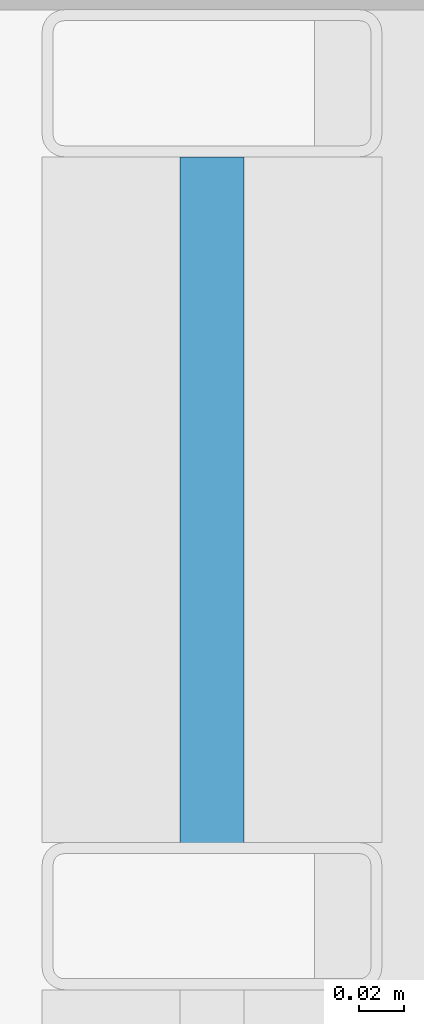
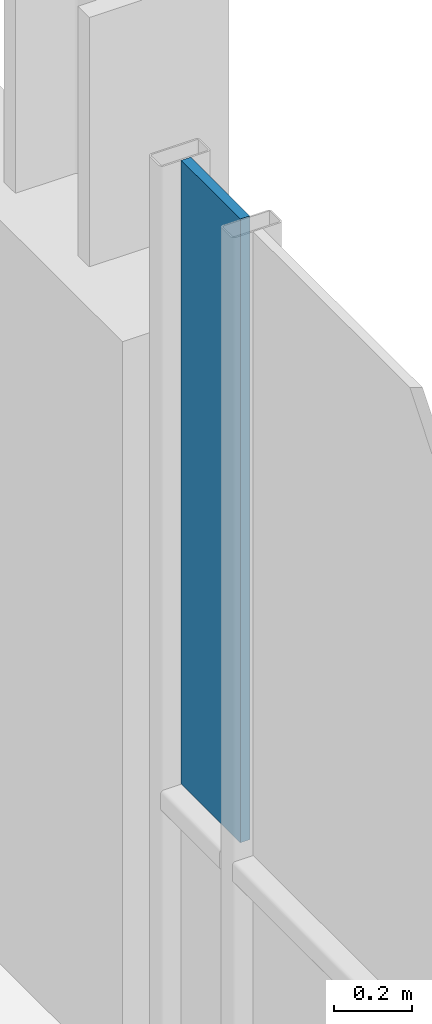
# One storey, part 28 of 41: 1 plate, 1 element without a shape of its own.
"""IFC4 building model written with IfcOpenShell, lengths in metres."""

from ifc_helpers import new_model, si_unit, direction, frame, origin, origin_2d, place, context, subcontext, project, spatial, rectangle, extrude, material, layer, layer_set, type_object, element, aggregate, save


model = new_model("IFC4")

# Units and contexts
model_context = context("Model", 3, precision=1e-05, world=origin(), true_north=direction((0.0, 1.0)))
body_context = subcontext(model_context, "Body", "Model", "MODEL_VIEW")
ifc_project = project(units=[si_unit("LENGTHUNIT", "METRE"), si_unit("AREAUNIT", "SQUARE_METRE"), si_unit("VOLUMEUNIT", "CUBIC_METRE"), si_unit("PLANEANGLEUNIT", "RADIAN"), si_unit("MASSUNIT", "GRAM", prefix="KILO")], contexts=[model_context])

# Site, building, storey
site_placement = place(None, origin())
site = spatial("IfcSite", under=ifc_project, at=site_placement, CompositionType="ELEMENT")
building_placement = place(site_placement, origin())
building = spatial("IfcBuilding", under=site, at=building_placement, Name="Brevholm Reach", CompositionType="ELEMENT")
storey_placement = place(building_placement, frame((0.0, 0.0, 112.800048828125)))
storey = spatial("IfcBuildingStorey", under=building, at=storey_placement, Name="L33", CompositionType="ELEMENT", Elevation=112.800048828125)

# Curtain wall, plate
ifc_material_1 = material(Name="Dark Anodised Aluminium 6063-T6 and Solar-Control Glass", Category="aluminium")
ifc_layer_1 = layer(ifc_material_1, 0.14990234375)
ifc_layer_set_1 = layer_set([ifc_layer_1], Name="Dark Anodised Aluminium 6063-T6 and Solar-Control Glass")
curtain_wall_type = type_object("IfcCurtainWallType", Name="CW-01", PredefinedType="NOTDEFINED", material=ifc_layer_set_1)
curtain_wall_placement = place(storey_placement, origin())
curtain_wall = element("IfcCurtainWall", 1, at=curtain_wall_placement, inside=storey, type_object=curtain_wall_type, Name="L33 Curtain Wall CW-01", PredefinedType="NOTDEFINED")
ifc_material_2 = material(Name="Dark Solar-Control Double-Glazed IGU Glass", Category="glass")
ifc_layer_2 = layer(ifc_material_2, 0.028076171875)
ifc_layer_set_2 = layer_set([ifc_layer_2], Name="Dark Solar-Control Double-Glazed IGU Glass")
plate_type = type_object("IfcPlateType", Name="CWP-GLZ-28", PredefinedType="CURTAIN_PANEL", material=ifc_layer_set_2)
plate_placement = place(storey_placement, frame((59.85009765625, 22.733642578125, 0.9326171875), z_axis=(0.0, 0.0, 1.0), x_axis=(0.0, 1.0, 0.0)))
plate = element("IfcPlate", 2, at=plate_placement, type_object=plate_type, Name="CP-01 Glazing Panel 5.2", PredefinedType="CURTAIN_PANEL", context=body_context, shape_type="SweptSolid", body=[
    extrude(rectangle(XDim=0.302490234375, YDim=0.028076171875, at=origin_2d()), origin(), (0.0, 0.0, 1.0), 1.947509765625),
])
aggregate(curtain_wall, [plate])

save(model, "model.ifc")
